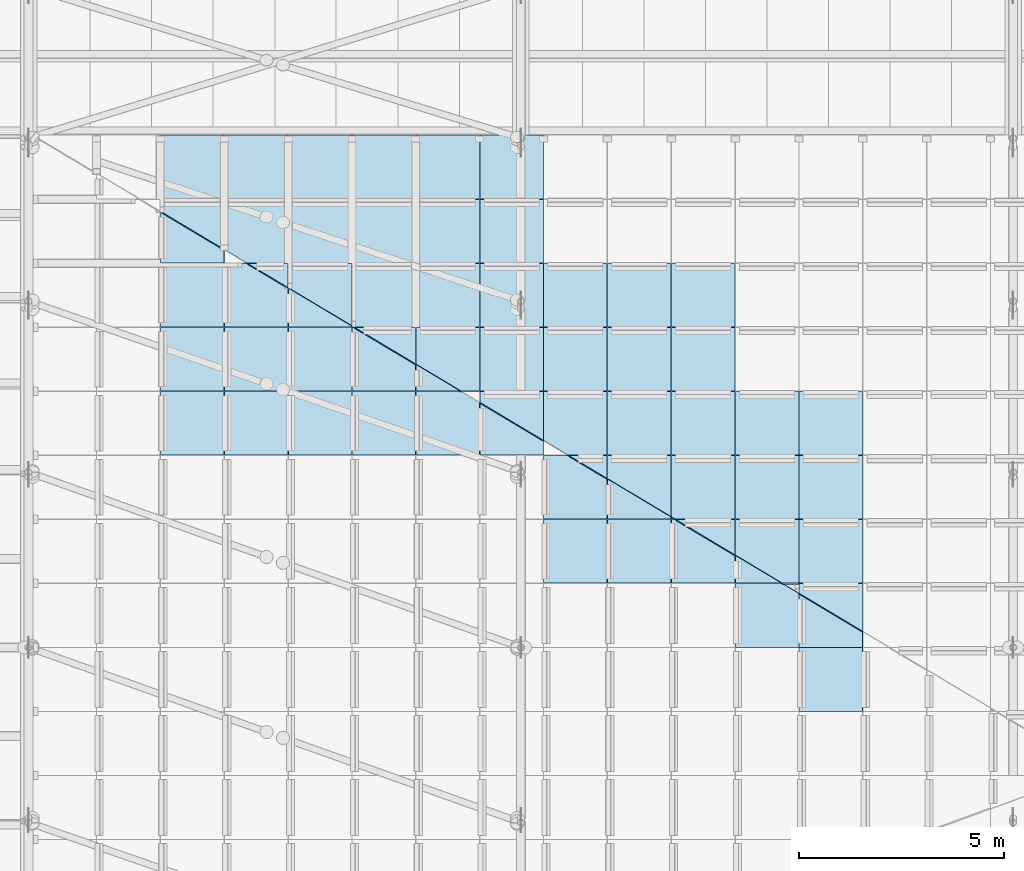
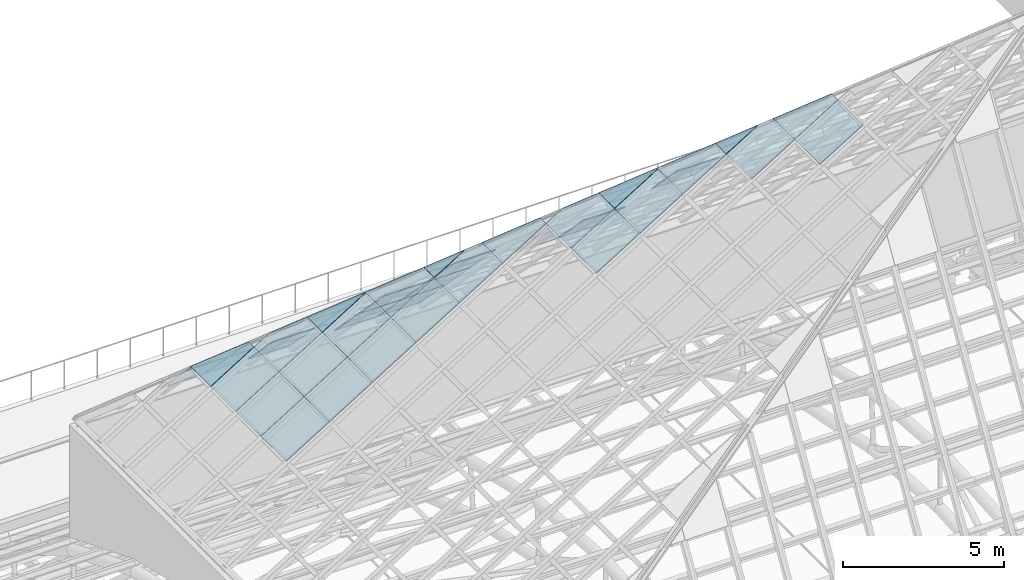
# One storey, part 58 of 110: 65 plates.
"""IFC4 building model written with IfcOpenShell, lengths in metres."""

from ifc_helpers import new_model, si_unit, direction, frame, origin, place, context, subcontext, project, spatial, polyline, outline, extrude, material, layer, layer_set, type_object, element, save


model = new_model("IFC4")

# Units and contexts
model_context = context("Model", 3, precision=1e-05, world=origin(), true_north=direction((0.0, 1.0)))
body_context = subcontext(model_context, "Body", "Model", "MODEL_VIEW")
ifc_project = project(units=[si_unit("LENGTHUNIT", "METRE"), si_unit("AREAUNIT", "SQUARE_METRE"), si_unit("VOLUMEUNIT", "CUBIC_METRE"), si_unit("PLANEANGLEUNIT", "RADIAN"), si_unit("MASSUNIT", "GRAM", prefix="KILO")], contexts=[model_context])

# Site, building, storey
site_placement = place(None, origin())
site = spatial("IfcSite", under=ifc_project, at=site_placement, CompositionType="ELEMENT")
building_placement = place(site_placement, origin())
building = spatial("IfcBuilding", under=site, at=building_placement, Name="Windward Yard Aquatics Centre", CompositionType="ELEMENT")
storey_placement = place(building_placement, frame((0.0, 0.0, 22.60009765625)))
storey = spatial("IfcBuildingStorey", under=building, at=storey_placement, Name="L05", CompositionType="ELEMENT", Elevation=22.60009765625)

# Plates
ifc_material = material(Name="Laminated low-e glass", Category="glass")
ifc_layer = layer(ifc_material, 0.035888671875)
ifc_layer_set = layer_set([ifc_layer], Name="H lantern glass laminated low-e 36")
plate_type = type_object("IfcPlateType", Name="H lantern glass laminated low-e 36", PredefinedType="SHEET", material=ifc_layer_set)
plate_1_placement = place(storey_placement, frame((99.217041015625, 71.932373046875, 12.502685546875), z_axis=(0.0, 0.718439970449, 0.695588965454), x_axis=(0.0, 0.695588965454, -0.718439970449)))
element("IfcPlate", 1, at=plate_1_placement, inside=storey, type_object=plate_type, Name="H.LN.G.03.004", PredefinedType="SHEET", context=body_context, shape_type="SweptSolid", body=[
    extrude(outline(polyline([(0.0, 0.0), (2.23296, 0.0), (2.23296, -1.548584), (0.0, -1.548584), (0.0, 0.0)])), origin(), (0.0, 0.0, -1.0), 0.035888671875),
])
plate_2_placement = place(storey_placement, frame((99.217041015625, 71.6298828125, 12.81494140625), z_axis=(-4.9894943e-05, 0.718394276462, 0.695636155657), x_axis=(9.11e-09, 0.695636156523, -0.718394277356)))
element("IfcPlate", 2, at=plate_2_placement, inside=storey, type_object=plate_type, Name="H.LN.G.03.005", PredefinedType="SHEET", context=body_context, shape_type="SweptSolid", body=[
    extrude(outline(polyline([(0.0, 0.0), (0.423178, 0.0), (0.423178, -1.548584), (-1.331352, -1.548584), (0.0, 0.0)])), origin(), (0.0, 0.0, -1.0), 0.035888671875),
])
plate_3_placement = place(storey_placement, frame((100.773681640625, 71.932373046875, 12.502685546875), z_axis=(0.0, 0.718439970449, 0.695588965454), x_axis=(0.0, 0.695588965454, -0.718439970449)))
element("IfcPlate", 3, at=plate_3_placement, inside=storey, type_object=plate_type, Name="H.LN.G.03.006", PredefinedType="SHEET", context=body_context, shape_type="SweptSolid", body=[
    extrude(outline(polyline([(0.0, 0.0), (2.23296, 0.0), (2.23296, -1.54834), (0.0, -1.54834), (0.0, 0.0)])), origin(), (0.0, 0.0, -1.0), 0.035888671875),
])
plate_4_placement = place(storey_placement, frame((100.773681640625, 70.69921875, 13.776611328125), z_axis=(2.0701974e-05, 0.71849640073, 0.695530676325), x_axis=(6.2e-10, 0.695530676474, -0.718496400884)))
element("IfcPlate", 4, at=plate_4_placement, inside=storey, type_object=plate_type, Name="H.LN.G.03.007", PredefinedType="SHEET", context=body_context, shape_type="SweptSolid", body=[
    extrude(outline(polyline([(0.0, 0.0), (1.76144, 0.0), (1.76144, -1.54834), (-0.471696, -1.54834), (-0.471696, -0.54834), (0.0, 0.0)])), origin(), (0.0, 0.0, -1.0), 0.035888671875),
])
plate_5_placement = place(storey_placement, frame((101.33544921875, 70.363037109375, 14.123779296875), z_axis=(0.0, 0.718384042005, 0.695646726573), x_axis=(1.0, 0.0, 0.0)))
element("IfcPlate", 5, at=plate_5_placement, inside=storey, type_object=plate_type, Name="H.LN.G.03.008", PredefinedType="SHEET", context=body_context, shape_type="SweptSolid", body=[
    extrude(outline(polyline([(0.0, 0.0), (0.986572, 0.0), (0.986572, -0.848258), (0.0, 0.0)])), origin(), (0.0, 0.0, -1.0), 0.035888671875),
])
plate_6_placement = place(storey_placement, frame((102.330078125, 71.932373046875, 12.502685546875), z_axis=(0.0, 0.718439970449, 0.695588965454), x_axis=(0.0, 0.695588965454, -0.718439970449)))
element("IfcPlate", 6, at=plate_6_placement, inside=storey, type_object=plate_type, Name="H.LN.G.03.009", PredefinedType="SHEET", context=body_context, shape_type="SweptSolid", body=[
    extrude(outline(polyline([(0.0, 0.0), (2.23296, 0.0), (2.23296, -1.548584), (0.0, -1.548584), (0.0, 0.0)])), origin(), (0.0, 0.0, -1.0), 0.035888671875),
])
plate_7_placement = place(storey_placement, frame((102.330078125, 70.37109375, 14.115478515625), z_axis=(0.0, 0.718492865278, 0.695534328804), x_axis=(0.0, 0.695534328804, -0.718492865278)))
element("IfcPlate", 7, at=plate_7_placement, inside=storey, type_object=plate_type, Name="H.LN.G.03.010", PredefinedType="SHEET", context=body_context, shape_type="SweptSolid", body=[
    extrude(outline(polyline([(0.0, 0.0), (2.233136, 0.0), (2.233136, -1.548584), (0.0, -1.548584), (0.0, 0.0)])), origin(), (0.0, 0.0, -1.0), 0.035888671875),
])
plate_8_placement = place(storey_placement, frame((102.330078125, 69.768310546875, 14.738037109375), z_axis=(-1.2401025e-05, 0.71845203244, 0.695576506884), x_axis=(2.79e-10, 0.695576506938, -0.718452032495)))
element("IfcPlate", 8, at=plate_8_placement, inside=storey, type_object=plate_type, Name="H.LN.G.03.011", PredefinedType="SHEET", context=body_context, shape_type="SweptSolid", body=[
    extrude(outline(polyline([(0.0, 0.0), (0.854993, 0.0), (0.854993, -1.548584), (-1.331697, -1.548584), (0.0, 0.0)])), origin(), (0.0, 0.0, -1.0), 0.035888671875),
])
plate_9_placement = place(storey_placement, frame((103.88671875, 71.932373046875, 12.502685546875), z_axis=(0.0, 0.718439970449, 0.695588965454), x_axis=(0.0, 0.695588965454, -0.718439970449)))
element("IfcPlate", 9, at=plate_9_placement, inside=storey, type_object=plate_type, Name="H.LN.G.03.012", PredefinedType="SHEET", context=body_context, shape_type="SweptSolid", body=[
    extrude(outline(polyline([(0.0, 0.0), (2.23296, 0.0), (2.23296, -1.54834), (0.0, -1.54834), (0.0, 0.0)])), origin(), (0.0, 0.0, -1.0), 0.035888671875),
])
plate_10_placement = place(storey_placement, frame((103.88671875, 70.37109375, 14.115478515625), z_axis=(0.0, 0.718492865278, 0.695534328804), x_axis=(0.0, 0.695534328804, -0.718492865278)))
element("IfcPlate", 10, at=plate_10_placement, inside=storey, type_object=plate_type, Name="H.LN.G.03.013", PredefinedType="SHEET", context=body_context, shape_type="SweptSolid", body=[
    extrude(outline(polyline([(0.0, 0.0), (2.233136, 0.0), (2.233136, -1.54834), (0.0, -1.54834), (0.0, 0.0)])), origin(), (0.0, 0.0, -1.0), 0.035888671875),
])
plate_11_placement = place(storey_placement, frame((103.88671875, 68.83740234375, 15.69970703125), z_axis=(3.906707e-05, 0.718440528474, 0.695588387999), x_axis=(2.123e-09, 0.69558838853, -0.718440529022)))
element("IfcPlate", 11, at=plate_11_placement, inside=storey, type_object=plate_type, Name="H.LN.G.03.014", PredefinedType="SHEET", context=body_context, shape_type="SweptSolid", body=[
    extrude(outline(polyline([(0.0, 0.0), (2.193424, 0.0), (2.193424, -1.54834), (-0.039536, -1.54834), (-0.039536, -0.045898), (0.0, 0.0)])), origin(), (0.0, 0.0, -1.0), 0.035888671875),
])
plate_12_placement = place(storey_placement, frame((103.94580078125, 68.802001953125, 15.736328125), z_axis=(0.0, 0.718454587372, 0.695573868029), x_axis=(1.0, 0.0, 0.0)))
element("IfcPlate", 12, at=plate_12_placement, inside=storey, type_object=plate_type, Name="H.LN.G.03.015", PredefinedType="SHEET", context=body_context, shape_type="SweptSolid", body=[
    extrude(outline(polyline([(0.0, 0.0), (1.489258, 0.0), (1.489258, -1.280418), (0.0, 0.0)])), origin(), (0.0, 0.0, -1.0), 0.035888671875),
])
plate_13_placement = place(storey_placement, frame((105.443115234375, 71.932373046875, 12.502685546875), z_axis=(0.0, 0.718439970449, 0.695588965454), x_axis=(0.0, 0.695588965454, -0.718439970449)))
element("IfcPlate", 13, at=plate_13_placement, inside=storey, type_object=plate_type, Name="H.LN.G.03.016", PredefinedType="SHEET", context=body_context, shape_type="SweptSolid", body=[
    extrude(outline(polyline([(0.0, 0.0), (2.23296, 0.0), (2.23296, -1.548584), (0.0, -1.548584), (0.0, 0.0)])), origin(), (0.0, 0.0, -1.0), 0.035888671875),
])
plate_14_placement = place(storey_placement, frame((105.443115234375, 70.37109375, 14.115478515625), z_axis=(0.0, 0.718492865278, 0.695534328804), x_axis=(0.0, 0.695534328804, -0.718492865278)))
element("IfcPlate", 14, at=plate_14_placement, inside=storey, type_object=plate_type, Name="H.LN.G.03.017", PredefinedType="SHEET", context=body_context, shape_type="SweptSolid", body=[
    extrude(outline(polyline([(0.0, 0.0), (2.233136, 0.0), (2.233136, -1.548584), (0.0, -1.548584), (0.0, 0.0)])), origin(), (0.0, 0.0, -1.0), 0.035888671875),
])
plate_15_placement = place(storey_placement, frame((105.443115234375, 68.809814453125, 15.72802734375), z_axis=(0.0, 0.718439970449, 0.695588965454), x_axis=(0.0, 0.695588965454, -0.718439970449)))
element("IfcPlate", 15, at=plate_15_placement, inside=storey, type_object=plate_type, Name="H.LN.G.03.018", PredefinedType="SHEET", context=body_context, shape_type="SweptSolid", body=[
    extrude(outline(polyline([(0.0, 0.0), (2.23296, 0.0), (2.23296, -1.548584), (0.0, -1.548584), (0.0, 0.0)])), origin(), (0.0, 0.0, -1.0), 0.035888671875),
])
plate_16_placement = place(storey_placement, frame((105.443115234375, 67.906494140625, 16.6611328125), z_axis=(-6.938156e-05, 0.718469095693, 0.695558878687), x_axis=(7.469e-09, 0.695558880361, -0.718469097422)))
element("IfcPlate", 16, at=plate_16_placement, inside=storey, type_object=plate_type, Name="H.LN.G.03.019", PredefinedType="SHEET", context=body_context, shape_type="SweptSolid", body=[
    extrude(outline(polyline([(0.0, 0.0), (1.287322, 0.0), (1.287322, -1.548584), (-0.945814, -1.548584), (-0.945814, -1.099854), (0.0, 0.0)])), origin(), (0.0, 0.0, -1.0), 0.035888671875),
])
plate_17_placement = place(storey_placement, frame((106.999755859375, 71.932373046875, 12.502685546875), z_axis=(0.0, 0.718439970449, 0.695588965454), x_axis=(0.0, 0.695588965454, -0.718439970449)))
element("IfcPlate", 17, at=plate_17_placement, inside=storey, type_object=plate_type, Name="H.LN.G.03.021", PredefinedType="SHEET", context=body_context, shape_type="SweptSolid", body=[
    extrude(outline(polyline([(0.0, 0.0), (2.23296, 0.0), (2.23296, -1.54834), (0.0, -1.54834), (0.0, 0.0)])), origin(), (0.0, 0.0, -1.0), 0.035888671875),
])
plate_18_placement = place(storey_placement, frame((106.999755859375, 70.37109375, 14.115478515625), z_axis=(0.0, 0.718492865278, 0.695534328804), x_axis=(0.0, 0.695534328804, -0.718492865278)))
element("IfcPlate", 18, at=plate_18_placement, inside=storey, type_object=plate_type, Name="H.LN.G.03.022", PredefinedType="SHEET", context=body_context, shape_type="SweptSolid", body=[
    extrude(outline(polyline([(0.0, 0.0), (2.233136, 0.0), (2.233136, -1.54834), (0.0, -1.54834), (0.0, 0.0)])), origin(), (0.0, 0.0, -1.0), 0.035888671875),
])
plate_19_placement = place(storey_placement, frame((106.999755859375, 68.809814453125, 15.72802734375), z_axis=(0.0, 0.718439970449, 0.695588965454), x_axis=(0.0, 0.695588965454, -0.718439970449)))
element("IfcPlate", 19, at=plate_19_placement, inside=storey, type_object=plate_type, Name="H.LN.G.03.023", PredefinedType="SHEET", context=body_context, shape_type="SweptSolid", body=[
    extrude(outline(polyline([(0.0, 0.0), (2.23296, 0.0), (2.23296, -1.54834), (0.0, -1.54834), (0.0, 0.0)])), origin(), (0.0, 0.0, -1.0), 0.035888671875),
])
plate_20_placement = place(storey_placement, frame((106.999755859375, 67.248779296875, 17.3408203125), z_axis=(0.0, 0.718492865278, 0.695534328804), x_axis=(0.0, 0.695534328804, -0.718492865278)))
element("IfcPlate", 20, at=plate_20_placement, inside=storey, type_object=plate_type, Name="H.LN.G.03.024", PredefinedType="SHEET", context=body_context, shape_type="SweptSolid", body=[
    extrude(outline(polyline([(0.0, 0.0), (2.233136, 0.0), (2.233136, -1.54834), (0.0, -1.54834), (0.0, 0.0)])), origin(), (0.0, 0.0, -1.0), 0.035888671875),
])
plate_21_placement = place(storey_placement, frame((106.999755859375, 66.9755859375, 17.622802734375), z_axis=(1.4671718e-05, 0.718498752471, 0.695528247077), x_axis=(8.74e-10, 0.695528247152, -0.718498752548)))
element("IfcPlate", 21, at=plate_21_placement, inside=storey, type_object=plate_type, Name="H.LN.G.03.025", PredefinedType="SHEET", context=body_context, shape_type="SweptSolid", body=[
    extrude(outline(polyline([(0.0, 0.0), (0.381225, 0.0), (0.381225, -1.54834), (-1.331352, -1.54834), (0.0, 0.0)])), origin(), (0.0, 0.0, -1.0), 0.035888671875),
])
plate_22_placement = place(storey_placement, frame((108.55615234375, 68.809814453125, 15.72802734375), z_axis=(0.0, 0.718439970449, 0.695588965454), x_axis=(0.0, 0.695588965454, -0.718439970449)))
element("IfcPlate", 22, at=plate_22_placement, inside=storey, type_object=plate_type, Name="H.LN.G.03.028", PredefinedType="SHEET", context=body_context, shape_type="SweptSolid", body=[
    extrude(outline(polyline([(0.0, 0.0), (2.23296, 0.0), (2.23296, -1.548584), (0.0, -1.548584), (0.0, 0.0)])), origin(), (0.0, 0.0, -1.0), 0.035888671875),
])
plate_23_placement = place(storey_placement, frame((108.55615234375, 67.248779296875, 17.3408203125), z_axis=(0.0, 0.718492865278, 0.695534328804), x_axis=(0.0, 0.695534328804, -0.718492865278)))
element("IfcPlate", 23, at=plate_23_placement, inside=storey, type_object=plate_type, Name="H.LN.G.03.029", PredefinedType="SHEET", context=body_context, shape_type="SweptSolid", body=[
    extrude(outline(polyline([(0.0, 0.0), (2.233136, 0.0), (2.233136, -1.548584), (0.0, -1.548584), (0.0, 0.0)])), origin(), (0.0, 0.0, -1.0), 0.035888671875),
])
plate_24_placement = place(storey_placement, frame((108.55615234375, 66.044677734375, 18.58447265625), z_axis=(1.6718754e-05, 0.718495974765, 0.695531116462), x_axis=(4.06e-10, 0.695531116559, -0.718495974866)))
element("IfcPlate", 24, at=plate_24_placement, inside=storey, type_object=plate_type, Name="H.LN.G.03.030", PredefinedType="SHEET", context=body_context, shape_type="SweptSolid", body=[
    extrude(outline(polyline([(0.0, 0.0), (1.719657, 0.0), (1.719657, -1.548584), (-0.513479, -1.548584), (-0.513479, -0.597168), (0.0, 0.0)])), origin(), (0.0, 0.0, -1.0), 0.035888671875),
])
plate_25_placement = place(storey_placement, frame((109.166748046875, 65.679443359375, 18.961669921875), z_axis=(0.0, 0.718519158373, 0.695507166786), x_axis=(1.0, 0.0, 0.0)))
element("IfcPlate", 25, at=plate_25_placement, inside=storey, type_object=plate_type, Name="H.LN.G.03.031", PredefinedType="SHEET", context=body_context, shape_type="SweptSolid", body=[
    extrude(outline(polyline([(0.0, 0.0), (0.937988, 0.0), (0.937988, -0.806305), (0.0, 0.0)])), origin(), (0.0, 0.0, -1.0), 0.035888671875),
])
plate_26_placement = place(storey_placement, frame((110.11279296875, 68.809814453125, 15.72802734375), z_axis=(0.0, 0.718439970449, 0.695588965454), x_axis=(0.0, 0.695588965454, -0.718439970449)))
element("IfcPlate", 26, at=plate_26_placement, inside=storey, type_object=plate_type, Name="H.LN.G.03.034", PredefinedType="SHEET", context=body_context, shape_type="SweptSolid", body=[
    extrude(outline(polyline([(0.0, 0.0), (2.23296, 0.0), (2.23296, -1.54834), (0.0, -1.54834), (0.0, 0.0)])), origin(), (0.0, 0.0, -1.0), 0.035888671875),
])
for number, where, z_axis, x_axis, name in (
    (27, (110.11279296875, 67.248779296875, 17.3408203125), (0.0, 0.718492865278, 0.695534328804), (0.0, 0.695534328804, -0.718492865278), "H.LN.G.03.035"),
    (28, (110.11279296875, 65.6875, 18.953369140625), (0.0, 0.718492865278, 0.695534328804), (0.0, 0.695534328804, -0.718492865278), "H.LN.G.03.036"),
):
    element("IfcPlate", number, at=place(storey_placement, frame(where, z_axis=z_axis, x_axis=x_axis)), inside=storey, type_object=plate_type, Name=name, PredefinedType="SHEET", context=body_context, shape_type="SweptSolid", body=[
        extrude(outline(polyline([(0.0, 0.0), (2.233136, 0.0), (2.233136, -1.54834), (0.0, -1.54834), (0.0, 0.0)])), origin(), (0.0, 0.0, -1.0), 0.035888671875),
    ])
plate_27_placement = place(storey_placement, frame((110.11279296875, 65.11376953125, 19.5458984375), z_axis=(-1.7661563e-05, 0.718446442416, 0.695582280588), x_axis=(5.94e-10, 0.695582280697, -0.718446442528)))
element("IfcPlate", 29, at=plate_27_placement, inside=storey, type_object=plate_type, Name="H.LN.G.03.037", PredefinedType="SHEET", context=body_context, shape_type="SweptSolid", body=[
    extrude(outline(polyline([(0.0, 0.0), (0.81321, 0.0), (0.81321, -1.54834), (-1.331352, -1.54834), (0.0, 0.0)])), origin(), (0.0, 0.0, -1.0), 0.035888671875),
])
plate_28_placement = place(storey_placement, frame((111.669189453125, 68.809814453125, 15.72802734375), z_axis=(0.0, 0.718439970449, 0.695588965454), x_axis=(0.0, 0.695588965454, -0.718439970449)))
element("IfcPlate", 30, at=plate_28_placement, inside=storey, type_object=plate_type, Name="H.LN.G.03.040", PredefinedType="SHEET", context=body_context, shape_type="SweptSolid", body=[
    extrude(outline(polyline([(0.0, 0.0), (2.23296, 0.0), (2.23296, -1.548584), (0.0, -1.548584), (0.0, 0.0)])), origin(), (0.0, 0.0, -1.0), 0.035888671875),
])
for number, where, z_axis, x_axis, name in (
    (31, (111.669189453125, 67.248779296875, 17.3408203125), (0.0, 0.718492865278, 0.695534328804), (0.0, 0.695534328804, -0.718492865278), "H.LN.G.03.041"),
    (32, (111.669189453125, 65.6875, 18.953369140625), (0.0, 0.718492865278, 0.695534328804), (0.0, 0.695534328804, -0.718492865278), "H.LN.G.03.042"),
):
    element("IfcPlate", number, at=place(storey_placement, frame(where, z_axis=z_axis, x_axis=x_axis)), inside=storey, type_object=plate_type, Name=name, PredefinedType="SHEET", context=body_context, shape_type="SweptSolid", body=[
        extrude(outline(polyline([(0.0, 0.0), (2.233136, 0.0), (2.233136, -1.548584), (0.0, -1.548584), (0.0, 0.0)])), origin(), (0.0, 0.0, -1.0), 0.035888671875),
    ])
plate_29_placement = place(storey_placement, frame((111.669189453125, 64.18310546875, 20.507568359375), z_axis=(3.618064e-05, 0.718495678469, 0.695531421801), x_axis=(1.827e-09, 0.695531422256, -0.718495678939)))
element("IfcPlate", 33, at=plate_29_placement, inside=storey, type_object=plate_type, Name="H.LN.G.03.043", PredefinedType="SHEET", context=body_context, shape_type="SweptSolid", body=[
    extrude(outline(polyline([(0.0, 0.0), (2.151471, 0.0), (2.151471, -1.548584), (-0.081319, -1.548584), (-0.081319, -0.094727), (0.0, 0.0)])), origin(), (0.0, 0.0, -1.0), 0.035888671875),
])
plate_30_placement = place(storey_placement, frame((111.777099609375, 64.118408203125, 20.57421875), z_axis=(0.0, 0.718446431211, 0.695582292385), x_axis=(1.0, 0.0, 0.0)))
element("IfcPlate", 34, at=plate_30_placement, inside=storey, type_object=plate_type, Name="H.LN.G.03.044", PredefinedType="SHEET", context=body_context, shape_type="SweptSolid", body=[
    extrude(outline(polyline([(0.0, 0.0), (1.440674, 0.0), (1.440674, -1.238635), (0.0, 0.0)])), origin(), (0.0, 0.0, -1.0), 0.035888671875),
])
plate_31_placement = place(storey_placement, frame((113.2255859375, 65.6875, 18.953369140625), z_axis=(0.0, 0.718492865278, 0.695534328804), x_axis=(0.0, 0.695534328804, -0.718492865278)))
element("IfcPlate", 35, at=plate_31_placement, inside=storey, type_object=plate_type, Name="H.LN.G.03.049", PredefinedType="SHEET", context=body_context, shape_type="SweptSolid", body=[
    extrude(outline(polyline([(0.0, 0.0), (2.233136, 0.0), (2.233136, -1.548828), (0.0, -1.548828), (0.0, 0.0)])), origin(), (0.0, 0.0, -1.0), 0.035888671875),
])
plate_32_placement = place(storey_placement, frame((113.2255859375, 64.12646484375, 20.56591796875), z_axis=(0.0, 0.718494611318, 0.695532525125), x_axis=(0.0, 0.695532525125, -0.718494611318)))
element("IfcPlate", 36, at=plate_32_placement, inside=storey, type_object=plate_type, Name="H.LN.G.03.050", PredefinedType="SHEET", context=body_context, shape_type="SweptSolid", body=[
    extrude(outline(polyline([(0.0, 0.0), (2.232791, 0.0), (2.232791, -1.548828), (0.0, -1.548828), (0.0, 0.0)])), origin(), (0.0, 0.0, -1.0), 0.035888671875),
])
plate_33_placement = place(storey_placement, frame((113.2255859375, 63.252197265625, 21.468994140625), z_axis=(-7.482974e-06, 0.718490188074, 0.695537094327), x_axis=(8.8e-11, 0.695537094347, -0.718490188094)))
element("IfcPlate", 37, at=plate_33_placement, inside=storey, type_object=plate_type, Name="H.LN.G.03.051", PredefinedType="SHEET", context=body_context, shape_type="SweptSolid", body=[
    extrude(outline(polyline([(0.0, 0.0), (1.245369, 0.0), (1.245369, -1.548828), (-0.987767, -1.548828), (-0.987767, -1.148682), (0.0, 0.0)])), origin(), (0.0, 0.0, -1.0), 0.035888671875),
])
plate_34_placement = place(storey_placement, frame((114.7822265625, 65.6875, 18.953369140625), z_axis=(0.0, 0.718492865278, 0.695534328804), x_axis=(0.0, 0.695534328804, -0.718492865278)))
element("IfcPlate", 38, at=plate_34_placement, inside=storey, type_object=plate_type, Name="H.LN.G.03.056", PredefinedType="SHEET", context=body_context, shape_type="SweptSolid", body=[
    extrude(outline(polyline([(0.0, 0.0), (2.233136, 0.0), (2.233136, -1.548584), (0.0, -1.548584), (0.0, 0.0)])), origin(), (0.0, 0.0, -1.0), 0.035888671875),
])
plate_35_placement = place(storey_placement, frame((114.7822265625, 64.12646484375, 20.56591796875), z_axis=(0.0, 0.718494611318, 0.695532525125), x_axis=(0.0, 0.695532525125, -0.718494611318)))
element("IfcPlate", 39, at=plate_35_placement, inside=storey, type_object=plate_type, Name="H.LN.G.03.057", PredefinedType="SHEET", context=body_context, shape_type="SweptSolid", body=[
    extrude(outline(polyline([(0.0, 0.0), (2.232791, 0.0), (2.232791, -1.548584), (0.0, -1.548584), (0.0, 0.0)])), origin(), (0.0, 0.0, -1.0), 0.035888671875),
])
plate_36_placement = place(storey_placement, frame((114.7822265625, 62.565185546875, 22.1787109375), z_axis=(0.0, 0.718492865278, 0.695534328804), x_axis=(0.0, 0.695534328804, -0.718492865278)))
element("IfcPlate", 40, at=plate_36_placement, inside=storey, type_object=plate_type, Name="H.LN.G.03.058", PredefinedType="SHEET", context=body_context, shape_type="SweptSolid", body=[
    extrude(outline(polyline([(0.0, 0.0), (2.233136, 0.0), (2.233136, -1.548584), (0.0, -1.548584), (0.0, 0.0)])), origin(), (0.0, 0.0, -1.0), 0.035888671875),
])
plate_37_placement = place(storey_placement, frame((114.7822265625, 62.3212890625, 22.4306640625), z_axis=(0.000103746597, 0.718551228939, 0.695474025846), x_axis=(4.9129e-08, 0.695474029585, -0.71855123281)))
element("IfcPlate", 41, at=plate_37_placement, inside=storey, type_object=plate_type, Name="H.LN.G.03.059", PredefinedType="SHEET", context=body_context, shape_type="SweptSolid", body=[
    extrude(outline(polyline([(0.0, 0.0), (0.339273, 0.0), (0.339273, -1.548584), (-1.331521, -1.548584), (0.0, 0.0)])), origin(), (0.0, 0.0, -1.0), 0.035888671875),
])
plate_38_placement = place(storey_placement, frame((114.7822265625, 59.44287109375, 22.435302734375), z_axis=(-0.525615657471, 0.0, 0.850722152422), x_axis=(0.0, 1.0, 0.0)))
element("IfcPlate", 42, at=plate_38_placement, inside=storey, type_object=plate_type, Name="H.LN.G.04.089", PredefinedType="SHEET", context=body_context, shape_type="SweptSolid", body=[
    extrude(outline(polyline([(0.0, 0.0), (1.553223, 0.0), (1.553223, -1.820317), (0.0, -1.820317), (0.0, 0.0)])), origin(), (0.0, 0.0, -1.0), 0.035888671875),
])
plate_39_placement = place(storey_placement, frame((113.2255859375, 61.00390625, 21.473876953125), z_axis=(-0.525457011397, 1.4284715e-05, 0.850820150778), x_axis=(7.506003e-06, 0.999999999898, -1.2153723e-05)))
element("IfcPlate", 43, at=plate_39_placement, inside=storey, type_object=plate_type, Name="H.LN.G.04.103", PredefinedType="SHEET", context=body_context, shape_type="SweptSolid", body=[
    extrude(outline(polyline([(0.0, 0.0), (1.553223, 0.0), (1.553223, -1.34748), (1.312744, -1.820396), (0.0, -1.820396), (0.0, 0.0)])), origin(), (0.0, 0.0, -1.0), 0.035888671875),
])
plate_40_placement = place(storey_placement, frame((114.7822265625, 61.00390625, 22.435302734375), z_axis=(-0.525615657471, 0.0, 0.850722152422), x_axis=(0.0, 1.0, 0.0)))
element("IfcPlate", 44, at=plate_40_placement, inside=storey, type_object=plate_type, Name="H.LN.G.04.104", PredefinedType="SHEET", context=body_context, shape_type="SweptSolid", body=[
    extrude(outline(polyline([(0.0, 0.0), (1.308105, 0.0), (0.381836, -1.820317), (0.0, -1.820317), (0.0, 0.0)])), origin(), (0.0, 0.0, -1.0), 0.035888671875),
])
plate_41_placement = place(storey_placement, frame((108.55615234375, 62.565185546875, 18.589111328125), z_axis=(-0.525615657471, 0.0, 0.850722152422), x_axis=(0.0, 1.0, 0.0)))
element("IfcPlate", 45, at=plate_41_placement, inside=storey, type_object=plate_type, Name="H.LN.G.04.114", PredefinedType="SHEET", context=body_context, shape_type="SweptSolid", body=[
    extrude(outline(polyline([(0.0, 0.0), (1.553223, 0.0), (1.553223, -1.820317), (0.0, -1.820317), (0.0, 0.0)])), origin(), (0.0, 0.0, -1.0), 0.035888671875),
])
plate_42_placement = place(storey_placement, frame((110.11279296875, 62.565185546875, 19.55078125), z_axis=(-0.525578555888, 0.0, 0.850745074385), x_axis=(0.0, 1.0, 0.0)))
element("IfcPlate", 46, at=plate_42_placement, inside=storey, type_object=plate_type, Name="H.LN.G.04.115", PredefinedType="SHEET", context=body_context, shape_type="SweptSolid", body=[
    extrude(outline(polyline([(0.0, 0.0), (1.553223, 0.0), (1.553223, -1.819981), (0.0, -1.819981), (0.0, 0.0)])), origin(), (0.0, 0.0, -1.0), 0.035888671875),
])
plate_43_placement = place(storey_placement, frame((111.669189453125, 62.565185546875, 20.51220703125), z_axis=(-0.525609604706, 1.4871843e-05, 0.850725891941), x_axis=(7.816784e-06, 0.999999999889, -1.2651862e-05)))
element("IfcPlate", 47, at=plate_43_placement, inside=storey, type_object=plate_type, Name="H.LN.G.04.116", PredefinedType="SHEET", context=body_context, shape_type="SweptSolid", body=[
    extrude(outline(polyline([(0.0, 0.0), (1.553223, 0.0), (1.553223, -0.108745), (0.682373, -1.820317), (0.0, -1.820317), (0.0, 0.0)])), origin(), (0.0, 0.0, -1.0), 0.035888671875),
])
plate_44_placement = place(storey_placement, frame((113.2255859375, 62.565185546875, 21.473876953125), z_axis=(-0.525559225452, 0.0, 0.850757016158), x_axis=(0.0, 1.0, 0.0)))
element("IfcPlate", 48, at=plate_44_placement, inside=storey, type_object=plate_type, Name="H.LN.G.04.117", PredefinedType="SHEET", context=body_context, shape_type="SweptSolid", body=[
    extrude(outline(polyline([(0.0, 0.0), (0.677734, 0.0), (0.0, -1.331822), (0.0, 0.0)])), origin(), (0.0, 0.0, -1.0), 0.035888671875),
])
plate_45_placement = place(storey_placement, frame((108.55615234375, 64.12646484375, 18.589111328125), z_axis=(-0.525621847991, -2.3236482e-05, 0.850718327283), x_axis=(-1.2213602e-05, 0.99999999973, 1.9767701e-05)))
element("IfcPlate", 49, at=plate_45_placement, inside=storey, type_object=plate_type, Name="H.LN.G.04.126", PredefinedType="SHEET", context=body_context, shape_type="SweptSolid", body=[
    extrude(outline(polyline([(0.0, 0.0), (1.552979, 0.0), (1.552979, -0.699411), (0.98291, -1.820317), (0.0, -1.820317), (0.0, 0.0)])), origin(), (0.0, 0.0, -1.0), 0.035888671875),
])
plate_46_placement = place(storey_placement, frame((110.11279296875, 64.12646484375, 19.55078125), z_axis=(-0.525578555888, 0.0, 0.850745074385), x_axis=(0.0, 1.0, 0.0)))
element("IfcPlate", 50, at=plate_46_placement, inside=storey, type_object=plate_type, Name="H.LN.G.04.127", PredefinedType="SHEET", context=body_context, shape_type="SweptSolid", body=[
    extrude(outline(polyline([(0.0, 0.0), (0.978027, 0.0), (0.052002, -1.819981), (0.0, -1.819981), (0.0, 0.0)])), origin(), (0.0, 0.0, -1.0), 0.035888671875),
])
plate_47_placement = place(storey_placement, frame((99.217041015625, 65.6875, 12.81982421875), z_axis=(-0.525518580898, 0.0, 0.850782123185), x_axis=(0.0, 1.0, 0.0)))
element("IfcPlate", 51, at=plate_47_placement, inside=storey, type_object=plate_type, Name="H.LN.G.04.130", PredefinedType="SHEET", context=body_context, shape_type="SweptSolid", body=[
    extrude(outline(polyline([(0.0, 0.0), (1.553223, 0.0), (1.553223, -1.820189), (0.0, -1.820189), (0.0, 0.0)])), origin(), (0.0, 0.0, -1.0), 0.035888671875),
])
plate_48_placement = place(storey_placement, frame((100.773681640625, 65.6875, 13.781494140625), z_axis=(-0.525578555888, 0.0, 0.850745074385), x_axis=(0.0, 1.0, 0.0)))
element("IfcPlate", 52, at=plate_48_placement, inside=storey, type_object=plate_type, Name="H.LN.G.04.131", PredefinedType="SHEET", context=body_context, shape_type="SweptSolid", body=[
    extrude(outline(polyline([(0.0, 0.0), (1.553223, 0.0), (1.553223, -1.819981), (0.0, -1.819981), (0.0, 0.0)])), origin(), (0.0, 0.0, -1.0), 0.035888671875),
])
plate_49_placement = place(storey_placement, frame((102.330078125, 65.6875, 14.742919921875), z_axis=(-0.525615657471, 0.0, 0.850722152422), x_axis=(0.0, 1.0, 0.0)))
element("IfcPlate", 53, at=plate_49_placement, inside=storey, type_object=plate_type, Name="H.LN.G.04.132", PredefinedType="SHEET", context=body_context, shape_type="SweptSolid", body=[
    extrude(outline(polyline([(0.0, 0.0), (1.553223, 0.0), (1.553223, -1.820317), (0.0, -1.820317), (0.0, 0.0)])), origin(), (0.0, 0.0, -1.0), 0.035888671875),
])
plate_50_placement = place(storey_placement, frame((103.88671875, 65.6875, 15.70458984375), z_axis=(-0.525578555888, 0.0, 0.850745074385), x_axis=(0.0, 1.0, 0.0)))
element("IfcPlate", 54, at=plate_50_placement, inside=storey, type_object=plate_type, Name="H.LN.G.04.133", PredefinedType="SHEET", context=body_context, shape_type="SweptSolid", body=[
    extrude(outline(polyline([(0.0, 0.0), (1.553223, 0.0), (1.553223, -1.819981), (0.0, -1.819981), (0.0, 0.0)])), origin(), (0.0, 0.0, -1.0), 0.035888671875),
])
plate_51_placement = place(storey_placement, frame((105.443115234375, 65.6875, 16.666015625), z_axis=(-0.525608419316, 5.7454608e-05, 0.850726622508), x_axis=(3.0198626e-05, 0.999999998349, -4.8878164e-05)))
element("IfcPlate", 55, at=plate_51_placement, inside=storey, type_object=plate_type, Name="H.LN.G.04.134", PredefinedType="SHEET", context=body_context, shape_type="SweptSolid", body=[
    extrude(outline(polyline([(0.0, 0.0), (1.553223, 0.0), (1.553223, -1.290157), (1.283691, -1.820317), (0.0, -1.820317), (0.0, 0.0)])), origin(), (0.0, 0.0, -1.0), 0.035888671875),
])
plate_52_placement = place(storey_placement, frame((106.999755859375, 65.6875, 17.627685546875), z_axis=(-0.525578555888, 0.0, 0.850745074385), x_axis=(0.0, 1.0, 0.0)))
element("IfcPlate", 56, at=plate_52_placement, inside=storey, type_object=plate_type, Name="H.LN.G.04.135", PredefinedType="SHEET", context=body_context, shape_type="SweptSolid", body=[
    extrude(outline(polyline([(0.0, 0.0), (1.278809, 0.0), (0.352783, -1.819981), (0.0, -1.819981), (0.0, 0.0)])), origin(), (0.0, 0.0, -1.0), 0.035888671875),
])
plate_53_placement = place(storey_placement, frame((99.217041015625, 67.248779296875, 12.81982421875), z_axis=(-0.525518580898, 0.0, 0.850782123185), x_axis=(0.0, 1.0, 0.0)))
element("IfcPlate", 57, at=plate_53_placement, inside=storey, type_object=plate_type, Name="H.LN.G.04.139", PredefinedType="SHEET", context=body_context, shape_type="SweptSolid", body=[
    extrude(outline(polyline([(0.0, 0.0), (1.553223, 0.0), (1.553223, -1.820189), (0.0, -1.820189), (0.0, 0.0)])), origin(), (0.0, 0.0, -1.0), 0.035888671875),
])
plate_54_placement = place(storey_placement, frame((100.773681640625, 67.248779296875, 13.781494140625), z_axis=(-0.525578555888, 0.0, 0.850745074385), x_axis=(0.0, 1.0, 0.0)))
element("IfcPlate", 58, at=plate_54_placement, inside=storey, type_object=plate_type, Name="H.LN.G.04.140", PredefinedType="SHEET", context=body_context, shape_type="SweptSolid", body=[
    extrude(outline(polyline([(0.0, 0.0), (1.553223, 0.0), (1.553223, -1.819981), (0.0, -1.819981), (0.0, 0.0)])), origin(), (0.0, 0.0, -1.0), 0.035888671875),
])
plate_55_placement = place(storey_placement, frame((102.330078125, 67.248779296875, 14.742919921875), z_axis=(-0.525615657471, 0.0, 0.850722152422), x_axis=(0.0, 1.0, 0.0)))
element("IfcPlate", 59, at=plate_55_placement, inside=storey, type_object=plate_type, Name="H.LN.G.04.141", PredefinedType="SHEET", context=body_context, shape_type="SweptSolid", body=[
    extrude(outline(polyline([(0.0, 0.0), (1.553223, 0.0), (1.553223, -1.820317), (0.0, -1.820317), (0.0, 0.0)])), origin(), (0.0, 0.0, -1.0), 0.035888671875),
])
plate_56_placement = place(storey_placement, frame((103.88671875, 67.248779296875, 15.70458984375), z_axis=(-0.525555695468, 5.4327546e-05, 0.850759195078), x_axis=(2.8552151e-05, 0.999999998524, -4.6219659e-05)))
element("IfcPlate", 60, at=plate_56_placement, inside=storey, type_object=plate_type, Name="H.LN.G.04.142", PredefinedType="SHEET", context=body_context, shape_type="SweptSolid", body=[
    extrude(outline(polyline([(0.0, 0.0), (1.553223, 0.0), (1.553223, -0.051293), (0.653076, -1.819981), (0.0, -1.819981), (0.0, 0.0)])), origin(), (0.0, 0.0, -1.0), 0.035888671875),
])
plate_57_placement = place(storey_placement, frame((105.443115234375, 67.248779296875, 16.666015625), z_axis=(-0.525635612349, 0.0, 0.850709823048), x_axis=(0.0, 1.0, 0.0)))
element("IfcPlate", 61, at=plate_57_placement, inside=storey, type_object=plate_type, Name="H.LN.G.04.143", PredefinedType="SHEET", context=body_context, shape_type="SweptSolid", body=[
    extrude(outline(polyline([(0.0, 0.0), (0.648438, 0.0), (0.0, -1.274499), (0.0, 0.0)])), origin(), (0.0, 0.0, -1.0), 0.035888671875),
])
plate_58_placement = place(storey_placement, frame((99.217041015625, 68.809814453125, 12.81982421875), z_axis=(-0.525518580898, 0.0, 0.850782123185), x_axis=(0.0, 1.0, 0.0)))
element("IfcPlate", 62, at=plate_58_placement, inside=storey, type_object=plate_type, Name="H.LN.G.04.146", PredefinedType="SHEET", context=body_context, shape_type="SweptSolid", body=[
    extrude(outline(polyline([(0.0, 0.0), (1.553223, 0.0), (1.553223, -1.820189), (0.0, -1.820189), (0.0, 0.0)])), origin(), (0.0, 0.0, -1.0), 0.035888671875),
])
plate_59_placement = place(storey_placement, frame((100.773681640625, 68.809814453125, 13.781494140625), z_axis=(-0.525578819159, -9.39679e-07, 0.850744911739), x_axis=(-4.93875e-07, 1.0, 7.99427e-07)))
element("IfcPlate", 63, at=plate_59_placement, inside=storey, type_object=plate_type, Name="H.LN.G.04.147", PredefinedType="SHEET", context=body_context, shape_type="SweptSolid", body=[
    extrude(outline(polyline([(0.0, 0.0), (1.553223, 0.0), (1.553223, -0.64196), (0.953857, -1.819981), (0.0, -1.819981), (0.0, 0.0)])), origin(), (0.0, 0.0, -1.0), 0.035888671875),
])
plate_60_placement = place(storey_placement, frame((102.330078125, 68.809814453125, 14.742919921875), z_axis=(-0.525615657471, 0.0, 0.850722152422), x_axis=(0.0, 1.0, 0.0)))
element("IfcPlate", 64, at=plate_60_placement, inside=storey, type_object=plate_type, Name="H.LN.G.04.148", PredefinedType="SHEET", context=body_context, shape_type="SweptSolid", body=[
    extrude(outline(polyline([(0.0, 0.0), (0.948975, 0.0), (0.022949, -1.820317), (0.0, -1.820317), (0.0, 0.0)])), origin(), (0.0, 0.0, -1.0), 0.035888671875),
])
plate_61_placement = place(storey_placement, frame((99.217041015625, 70.37109375, 12.81982421875), z_axis=(-0.525518580898, 0.0, 0.850782123185), x_axis=(0.0, 1.0, 0.0)))
element("IfcPlate", 65, at=plate_61_placement, inside=storey, type_object=plate_type, Name="H.LN.G.04.151", PredefinedType="SHEET", context=body_context, shape_type="SweptSolid", body=[
    extrude(outline(polyline([(0.0, 0.0), (1.249512, 0.0), (0.323486, -1.820189), (0.0, -1.820189), (0.0, 0.0)])), origin(), (0.0, 0.0, -1.0), 0.035888671875),
])

save(model, "model.ifc")
